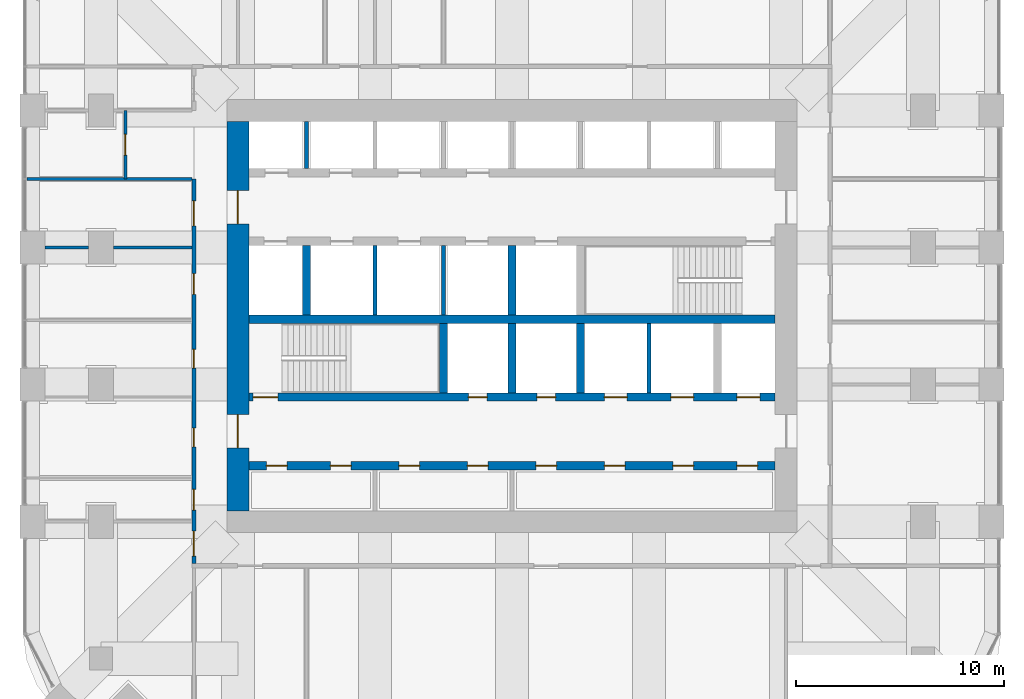
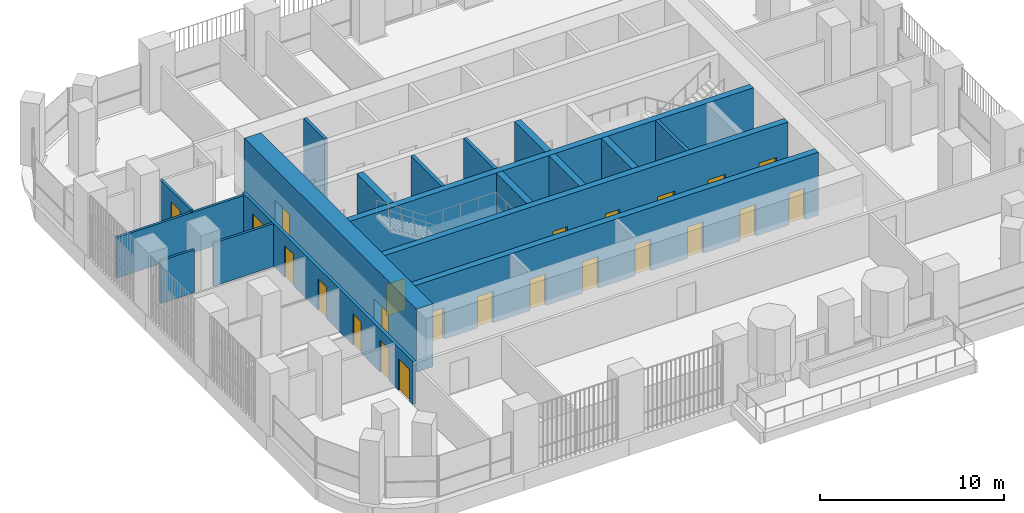
# One storey, part 13 of 19: 23 doors, 18 walls, 23 openings.
"""IFC4 building model written with IfcOpenShell, lengths in metres."""

from ifc_helpers import new_model, si_unit, direction, frame, frame_2d, origin, place, context, subcontext, project, spatial, rectangle, extrude, material, layer, layer_set, type_object, element, fill, save


model = new_model("IFC4")

# Units and contexts
model_context = context("Model", 3, precision=1e-05, world=origin(), true_north=direction((0.0, 1.0)))
body_context = subcontext(model_context, "Body", "Model", "MODEL_VIEW")
ifc_project = project(units=[si_unit("LENGTHUNIT", "METRE"), si_unit("AREAUNIT", "SQUARE_METRE"), si_unit("VOLUMEUNIT", "CUBIC_METRE"), si_unit("PLANEANGLEUNIT", "RADIAN"), si_unit("MASSUNIT", "GRAM", prefix="KILO")], contexts=[model_context])

# Site, building, storey
site_placement = place(None, origin())
site = spatial("IfcSite", under=ifc_project, at=site_placement, CompositionType="ELEMENT")
building_placement = place(site_placement, origin())
building = spatial("IfcBuilding", under=site, at=building_placement, Name="Cobogo Forest Laboratory Tower", CompositionType="ELEMENT")
storey_placement = place(building_placement, frame((0.0, 0.0, 206.10009765625)))
storey = spatial("IfcBuildingStorey", under=building, at=storey_placement, Name="L47", CompositionType="ELEMENT", Elevation=206.10009765625)

# Wall, openings, doors
ifc_material_1 = material(Name="Concrete HA-50 (C50/60)", Category="concrete")
ifc_layer_1 = layer(ifc_material_1, 0.39990234375)
ifc_layer_set_1 = layer_set([ifc_layer_1], Name="CI400 core inner wall 400")
wall_type_1 = type_object("IfcWallType", Name="CI400 core inner wall 400", PredefinedType="SHEAR", material=ifc_layer_set_1)
wall_1_placement = place(storey_placement, frame((13.72509765625, 15.89990234375, 0.0), z_axis=(0.0, 0.0, 1.0), x_axis=(1.0, 0.0, 0.0)))
wall_1 = element("IfcWall", 1, at=wall_1_placement, inside=storey, type_object=wall_type_1, Name="Core wall CI-15.9 L47", PredefinedType="SHEAR", context=body_context, shape_type="SweptSolid", body=[
    extrude(rectangle(XDim=25.349853515625, YDim=0.39990234375, at=frame_2d((12.6748046875, 0.0))), origin(), (0.0, 0.0, 1.0), 4.199951171875),
])
opening_1_placement = place(wall_1_placement, frame((0.83740234375, 0.0, 0.0)))
opening_1 = element("IfcOpeningElement", 2, at=opening_1_placement, cuts=wall_1, Name="Opening L47-D08", PredefinedType="OPENING", context=body_context, shape_type="SweptSolid", body=[
    extrude(rectangle(XDim=1.0, YDim=2.10009765625, at=frame_2d((0.5, 1.050048828125))), frame((0.0, 0.2099609375, 0.0), z_axis=(0.0, -1.0, 0.0), x_axis=(1.0, 0.0, 0.0)), (0.0, 0.0, 1.0), 0.419921875),
])
opening_2_placement = place(wall_1_placement, frame((3.925048828125, 0.0, 0.0)))
opening_2 = element("IfcOpeningElement", 3, at=opening_2_placement, cuts=wall_1, Name="Opening L47-D09", PredefinedType="OPENING", context=body_context, shape_type="SweptSolid", body=[
    extrude(rectangle(XDim=1.0, YDim=2.10009765625, at=frame_2d((0.5, 1.050048828125))), frame((0.0, 0.2099609375, 0.0), z_axis=(0.0, -1.0, 0.0), x_axis=(1.0, 0.0, 0.0)), (0.0, 0.0, 1.0), 0.419921875),
])
opening_3_placement = place(wall_1_placement, frame((7.22509765625, 0.0, 0.0)))
opening_3 = element("IfcOpeningElement", 4, at=opening_3_placement, cuts=wall_1, Name="Opening L47-D10", PredefinedType="OPENING", context=body_context, shape_type="SweptSolid", body=[
    extrude(rectangle(XDim=1.0, YDim=2.10009765625, at=frame_2d((0.5, 1.050048828125))), frame((0.0, 0.2099609375, 0.0), z_axis=(0.0, -1.0, 0.0), x_axis=(1.0, 0.0, 0.0)), (0.0, 0.0, 1.0), 0.419921875),
])
opening_4_placement = place(wall_1_placement, frame((10.52490234375, 0.0, 0.0)))
opening_4 = element("IfcOpeningElement", 5, at=opening_4_placement, cuts=wall_1, Name="Opening L47-D11", PredefinedType="OPENING", context=body_context, shape_type="SweptSolid", body=[
    extrude(rectangle(XDim=1.0, YDim=2.10009765625, at=frame_2d((0.5, 1.050048828125))), frame((0.0, 0.2099609375, 0.0), z_axis=(0.0, -1.0, 0.0), x_axis=(1.0, 0.0, 0.0)), (0.0, 0.0, 1.0), 0.419921875),
])
opening_5_placement = place(wall_1_placement, frame((13.824951171875, 0.0, 0.0)))
opening_5 = element("IfcOpeningElement", 6, at=opening_5_placement, cuts=wall_1, Name="Opening L47-D12", PredefinedType="OPENING", context=body_context, shape_type="SweptSolid", body=[
    extrude(rectangle(XDim=1.0, YDim=2.10009765625, at=frame_2d((0.5, 1.050048828125))), frame((0.0, 0.2099609375, 0.0), z_axis=(0.0, -1.0, 0.0), x_axis=(1.0, 0.0, 0.0)), (0.0, 0.0, 1.0), 0.419921875),
])
opening_6_placement = place(wall_1_placement, frame((17.125, 0.0, 0.0)))
opening_6 = element("IfcOpeningElement", 7, at=opening_6_placement, cuts=wall_1, Name="Opening L47-D13", PredefinedType="OPENING", context=body_context, shape_type="SweptSolid", body=[
    extrude(rectangle(XDim=1.0, YDim=2.10009765625, at=frame_2d((0.5, 1.050048828125))), frame((0.0, 0.2099609375, 0.0), z_axis=(0.0, -1.0, 0.0), x_axis=(1.0, 0.0, 0.0)), (0.0, 0.0, 1.0), 0.419921875),
])
opening_7_placement = place(wall_1_placement, frame((20.425048828125, 0.0, 0.0)))
opening_7 = element("IfcOpeningElement", 8, at=opening_7_placement, cuts=wall_1, Name="Opening L47-D14", PredefinedType="OPENING", context=body_context, shape_type="SweptSolid", body=[
    extrude(rectangle(XDim=1.0, YDim=2.10009765625, at=frame_2d((0.5, 1.050048828125))), frame((0.0, 0.2099609375, 0.0), z_axis=(0.0, -1.0, 0.0), x_axis=(1.0, 0.0, 0.0)), (0.0, 0.0, 1.0), 0.419921875),
])
opening_8_placement = place(wall_1_placement, frame((23.512451171875, 0.0, 0.0)))
opening_8 = element("IfcOpeningElement", 9, at=opening_8_placement, cuts=wall_1, Name="Opening L47-D15", PredefinedType="OPENING", context=body_context, shape_type="SweptSolid", body=[
    extrude(rectangle(XDim=1.0, YDim=2.10009765625, at=frame_2d((0.5, 1.050048828125))), frame((0.0, 0.2099609375, 0.0), z_axis=(0.0, -1.0, 0.0), x_axis=(1.0, 0.0, 0.0)), (0.0, 0.0, 1.0), 0.419921875),
])
ifc_material_2 = material(Name="Steel fire door", Category="steel")
door_type_1 = type_object("IfcDoorType", Name="FD1 fire door 1000 EI2 60", OperationType="SINGLE_SWING_LEFT", PredefinedType="DOOR", material=ifc_material_2)
door_1_placement = place(opening_1_placement, origin())
door_1 = element("IfcDoor", 10, at=door_1_placement, inside=storey, type_object=door_type_1, Name="Door L47-SH-LA1", OperationType="SINGLE_SWING_LEFT", OverallHeight=2.10009765625, OverallWidth=1.0, PredefinedType="DOOR", context=body_context, shape_type="SweptSolid", body=[
    extrude(rectangle(XDim=1.0, YDim=2.10009765625, at=frame_2d((0.5, 1.050048828125))), frame((0.0, 0.02490234375, 0.0), z_axis=(0.0, -1.0, 0.0), x_axis=(1.0, 0.0, 0.0)), (0.0, 0.0, 1.0), 0.050048828125),
])
fill(opening_1, door_1)
door_2_placement = place(opening_2_placement, origin())
door_2 = element("IfcDoor", 11, at=door_2_placement, inside=storey, type_object=door_type_1, Name="Door L47-SH-LA2", OperationType="SINGLE_SWING_LEFT", OverallHeight=2.10009765625, OverallWidth=1.0, PredefinedType="DOOR", context=body_context, shape_type="SweptSolid", body=[
    extrude(rectangle(XDim=1.0, YDim=2.10009765625, at=frame_2d((0.5, 1.050048828125))), frame((0.0, 0.02490234375, 0.0), z_axis=(0.0, -1.0, 0.0), x_axis=(1.0, 0.0, 0.0)), (0.0, 0.0, 1.0), 0.050048828125),
])
fill(opening_2, door_2)
door_3_placement = place(opening_3_placement, origin())
door_3 = element("IfcDoor", 12, at=door_3_placement, inside=storey, type_object=door_type_1, Name="Door L47-SH-LA3", OperationType="SINGLE_SWING_LEFT", OverallHeight=2.10009765625, OverallWidth=1.0, PredefinedType="DOOR", context=body_context, shape_type="SweptSolid", body=[
    extrude(rectangle(XDim=1.0, YDim=2.10009765625, at=frame_2d((0.5, 1.050048828125))), frame((0.0, 0.02490234375, 0.0), z_axis=(0.0, -1.0, 0.0), x_axis=(1.0, 0.0, 0.0)), (0.0, 0.0, 1.0), 0.050048828125),
])
fill(opening_3, door_3)
door_4_placement = place(opening_4_placement, origin())
door_4 = element("IfcDoor", 13, at=door_4_placement, inside=storey, type_object=door_type_1, Name="Door L47-SH-LA4", OperationType="SINGLE_SWING_LEFT", OverallHeight=2.10009765625, OverallWidth=1.0, PredefinedType="DOOR", context=body_context, shape_type="SweptSolid", body=[
    extrude(rectangle(XDim=1.0, YDim=2.10009765625, at=frame_2d((0.5, 1.050048828125))), frame((0.0, 0.02490234375, 0.0), z_axis=(0.0, -1.0, 0.0), x_axis=(1.0, 0.0, 0.0)), (0.0, 0.0, 1.0), 0.050048828125),
])
fill(opening_4, door_4)
door_5_placement = place(opening_5_placement, origin())
door_5 = element("IfcDoor", 14, at=door_5_placement, inside=storey, type_object=door_type_1, Name="Door L47-SH-LB1", OperationType="SINGLE_SWING_RIGHT", OverallHeight=2.10009765625, OverallWidth=1.0, PredefinedType="DOOR", context=body_context, shape_type="SweptSolid", body=[
    extrude(rectangle(XDim=1.0, YDim=2.10009765625, at=frame_2d((0.5, 1.050048828125))), frame((0.0, 0.02490234375, 0.0), z_axis=(0.0, -1.0, 0.0), x_axis=(1.0, 0.0, 0.0)), (0.0, 0.0, 1.0), 0.050048828125),
])
fill(opening_5, door_5)
door_6_placement = place(opening_6_placement, origin())
door_6 = element("IfcDoor", 15, at=door_6_placement, inside=storey, type_object=door_type_1, Name="Door L47-SH-LB2", OperationType="SINGLE_SWING_RIGHT", OverallHeight=2.10009765625, OverallWidth=1.0, PredefinedType="DOOR", context=body_context, shape_type="SweptSolid", body=[
    extrude(rectangle(XDim=1.0, YDim=2.10009765625, at=frame_2d((0.5, 1.050048828125))), frame((0.0, 0.02490234375, 0.0), z_axis=(0.0, -1.0, 0.0), x_axis=(1.0, 0.0, 0.0)), (0.0, 0.0, 1.0), 0.050048828125),
])
fill(opening_6, door_6)
door_7_placement = place(opening_7_placement, origin())
door_7 = element("IfcDoor", 16, at=door_7_placement, inside=storey, type_object=door_type_1, Name="Door L47-SH-LB3", OperationType="SINGLE_SWING_RIGHT", OverallHeight=2.10009765625, OverallWidth=1.0, PredefinedType="DOOR", context=body_context, shape_type="SweptSolid", body=[
    extrude(rectangle(XDim=1.0, YDim=2.10009765625, at=frame_2d((0.5, 1.050048828125))), frame((0.0, 0.02490234375, 0.0), z_axis=(0.0, -1.0, 0.0), x_axis=(1.0, 0.0, 0.0)), (0.0, 0.0, 1.0), 0.050048828125),
])
fill(opening_7, door_7)
door_8_placement = place(opening_8_placement, origin())
door_8 = element("IfcDoor", 17, at=door_8_placement, inside=storey, type_object=door_type_1, Name="Door L47-SH-LB4", OperationType="SINGLE_SWING_RIGHT", OverallHeight=2.10009765625, OverallWidth=1.0, PredefinedType="DOOR", context=body_context, shape_type="SweptSolid", body=[
    extrude(rectangle(XDim=1.0, YDim=2.10009765625, at=frame_2d((0.5, 1.050048828125))), frame((0.0, 0.02490234375, 0.0), z_axis=(0.0, -1.0, 0.0), x_axis=(1.0, 0.0, 0.0)), (0.0, 0.0, 1.0), 0.050048828125),
])
fill(opening_8, door_8)

wall_2_placement = place(storey_placement, frame((13.72509765625, 19.199951171875, 0.0), z_axis=(0.0, 0.0, 1.0), x_axis=(1.0, 0.0, 0.0)))
wall_2 = element("IfcWall", 18, at=wall_2_placement, inside=storey, type_object=wall_type_1, Name="Core wall CI-19.2 L47", PredefinedType="SHEAR", context=body_context, shape_type="SweptSolid", body=[
    extrude(rectangle(XDim=25.349853515625, YDim=0.39990234375, at=frame_2d((12.6748046875, 0.0))), origin(), (0.0, 0.0, 1.0), 4.199951171875),
])
opening_9_placement = place(wall_2_placement, frame((10.574951171875, 0.0, 0.0)))
opening_9 = element("IfcOpeningElement", 19, at=opening_9_placement, cuts=wall_2, Name="Opening L47-D20", PredefinedType="OPENING", context=body_context, shape_type="SweptSolid", body=[
    extrude(rectangle(XDim=0.89990234375, YDim=2.10009765625, at=frame_2d((0.449951171875, 1.050048828125))), frame((0.0, 0.2099609375, 0.0), z_axis=(0.0, -1.0, 0.0), x_axis=(1.0, 0.0, 0.0)), (0.0, 0.0, 1.0), 0.419921875),
])
opening_10_placement = place(wall_2_placement, frame((13.875, 0.0, 0.0)))
opening_10 = element("IfcOpeningElement", 20, at=opening_10_placement, cuts=wall_2, Name="Opening L47-D21", PredefinedType="OPENING", context=body_context, shape_type="SweptSolid", body=[
    extrude(rectangle(XDim=0.89990234375, YDim=2.10009765625, at=frame_2d((0.449951171875, 1.050048828125))), frame((0.0, 0.2099609375, 0.0), z_axis=(0.0, -1.0, 0.0), x_axis=(1.0, 0.0, 0.0)), (0.0, 0.0, 1.0), 0.419921875),
])
opening_11_placement = place(wall_2_placement, frame((0.199951171875, 0.0, 0.0)))
opening_11 = element("IfcOpeningElement", 21, at=opening_11_placement, cuts=wall_2, Name="Opening L47-D19", PredefinedType="OPENING", context=body_context, shape_type="SweptSolid", body=[
    extrude(rectangle(XDim=1.199951171875, YDim=2.10009765625, at=frame_2d((0.60009765625, 1.050048828125))), frame((0.0, 0.2099609375, 0.0), z_axis=(0.0, -1.0, 0.0), x_axis=(1.0, 0.0, 0.0)), (0.0, 0.0, 1.0), 0.419921875),
])
opening_12_placement = place(wall_2_placement, frame((23.512451171875, 0.0, 0.0)))
opening_12 = element("IfcOpeningElement", 22, at=opening_12_placement, cuts=wall_2, Name="Opening L47-LD-FL2", PredefinedType="OPENING", context=body_context, shape_type="SweptSolid", body=[
    extrude(rectangle(XDim=1.10009765625, YDim=2.10009765625, at=frame_2d((0.550048828125, 1.050048828125))), frame((0.0, 0.2099609375, 0.0), z_axis=(0.0, -1.0, 0.0), x_axis=(1.0, 0.0, 0.0)), (0.0, 0.0, 1.0), 0.419921875),
])
opening_13_placement = place(wall_2_placement, frame((17.125, 0.0, 0.0)))
opening_13 = element("IfcOpeningElement", 23, at=opening_13_placement, cuts=wall_2, Name="Opening L47-LD-LS1", PredefinedType="OPENING", context=body_context, shape_type="SweptSolid", body=[
    extrude(rectangle(XDim=1.10009765625, YDim=2.10009765625, at=frame_2d((0.550048828125, 1.050048828125))), frame((0.0, 0.2099609375, 0.0), z_axis=(0.0, -1.0, 0.0), x_axis=(1.0, 0.0, 0.0)), (0.0, 0.0, 1.0), 0.419921875),
])
opening_14_placement = place(wall_2_placement, frame((20.324951171875, 0.0, 0.0)))
opening_14 = element("IfcOpeningElement", 24, at=opening_14_placement, cuts=wall_2, Name="Opening L47-LD-LS2", PredefinedType="OPENING", context=body_context, shape_type="SweptSolid", body=[
    extrude(rectangle(XDim=1.10009765625, YDim=2.10009765625, at=frame_2d((0.550048828125, 1.050048828125))), frame((0.0, 0.2099609375, 0.0), z_axis=(0.0, -1.0, 0.0), x_axis=(1.0, 0.0, 0.0)), (0.0, 0.0, 1.0), 0.419921875),
])
door_type_2 = type_object("IfcDoorType", Name="DS1 protected stair door 1200 EI2 60", OperationType="SINGLE_SWING_LEFT", PredefinedType="DOOR", material=ifc_material_2)
door_9_placement = place(opening_11_placement, origin())
door_9 = element("IfcDoor", 25, at=door_9_placement, inside=storey, type_object=door_type_2, Name="Door L47-ST1", OperationType="SINGLE_SWING_LEFT", OverallHeight=2.10009765625, OverallWidth=1.199951171875, PredefinedType="DOOR", context=body_context, shape_type="SweptSolid", body=[
    extrude(rectangle(XDim=1.199951171875, YDim=2.10009765625, at=frame_2d((0.60009765625, 1.050048828125))), frame((0.0, 0.02490234375, 0.0), z_axis=(0.0, -1.0, 0.0), x_axis=(1.0, 0.0, 0.0)), (0.0, 0.0, 1.0), 0.050048828125),
])
fill(opening_11, door_9)
door_type_3 = type_object("IfcDoorType", Name="FD4 riser access door 900 EI2 60", OperationType="SINGLE_SWING_LEFT", PredefinedType="DOOR", material=ifc_material_2)
door_10_placement = place(opening_9_placement, origin())
door_10 = element("IfcDoor", 26, at=door_10_placement, inside=storey, type_object=door_type_3, Name="Door L47-R1", OperationType="SINGLE_SWING_LEFT", OverallHeight=2.10009765625, OverallWidth=0.89990234375, PredefinedType="DOOR", context=body_context, shape_type="SweptSolid", body=[
    extrude(rectangle(XDim=0.89990234375, YDim=2.10009765625, at=frame_2d((0.449951171875, 1.050048828125))), frame((0.0, 0.02490234375, 0.0), z_axis=(0.0, -1.0, 0.0), x_axis=(1.0, 0.0, 0.0)), (0.0, 0.0, 1.0), 0.050048828125),
])
fill(opening_9, door_10)
door_11_placement = place(opening_10_placement, origin())
door_11 = element("IfcDoor", 27, at=door_11_placement, inside=storey, type_object=door_type_3, Name="Door L47-R2", OperationType="SINGLE_SWING_RIGHT", OverallHeight=2.10009765625, OverallWidth=0.89990234375, PredefinedType="DOOR", context=body_context, shape_type="SweptSolid", body=[
    extrude(rectangle(XDim=0.89990234375, YDim=2.10009765625, at=frame_2d((0.449951171875, 1.050048828125))), frame((0.0, 0.02490234375, 0.0), z_axis=(0.0, -1.0, 0.0), x_axis=(1.0, 0.0, 0.0)), (0.0, 0.0, 1.0), 0.050048828125),
])
fill(opening_10, door_11)
ifc_material_3 = material(Name="Stainless steel lift door", Category="steel")
door_type_4 = type_object("IfcDoorType", Name="LD lift landing door 1100", OperationType="DOUBLE_DOOR_SLIDING", PredefinedType="DOOR", material=ifc_material_3)
door_12_placement = place(opening_12_placement, origin())
door_12 = element("IfcDoor", 28, at=door_12_placement, inside=storey, type_object=door_type_4, Name="Lift landing door FL2 L47", OperationType="DOUBLE_DOOR_SLIDING", OverallHeight=2.10009765625, OverallWidth=1.10009765625, PredefinedType="DOOR", context=body_context, shape_type="SweptSolid", body=[
    extrude(rectangle(XDim=1.10009765625, YDim=2.10009765625, at=frame_2d((0.550048828125, 1.050048828125))), frame((0.0, 0.02490234375, 0.0), z_axis=(0.0, -1.0, 0.0), x_axis=(1.0, 0.0, 0.0)), (0.0, 0.0, 1.0), 0.050048828125),
])
fill(opening_12, door_12)
door_13_placement = place(opening_13_placement, origin())
door_13 = element("IfcDoor", 29, at=door_13_placement, inside=storey, type_object=door_type_4, Name="Lift landing door LS1 L47", OperationType="DOUBLE_DOOR_SLIDING", OverallHeight=2.10009765625, OverallWidth=1.10009765625, PredefinedType="DOOR", context=body_context, shape_type="SweptSolid", body=[
    extrude(rectangle(XDim=1.10009765625, YDim=2.10009765625, at=frame_2d((0.550048828125, 1.050048828125))), frame((0.0, 0.02490234375, 0.0), z_axis=(0.0, -1.0, 0.0), x_axis=(1.0, 0.0, 0.0)), (0.0, 0.0, 1.0), 0.050048828125),
])
fill(opening_13, door_13)
door_14_placement = place(opening_14_placement, origin())
door_14 = element("IfcDoor", 30, at=door_14_placement, inside=storey, type_object=door_type_4, Name="Lift landing door LS2 L47", OperationType="DOUBLE_DOOR_SLIDING", OverallHeight=2.10009765625, OverallWidth=1.10009765625, PredefinedType="DOOR", context=body_context, shape_type="SweptSolid", body=[
    extrude(rectangle(XDim=1.10009765625, YDim=2.10009765625, at=frame_2d((0.550048828125, 1.050048828125))), frame((0.0, 0.02490234375, 0.0), z_axis=(0.0, -1.0, 0.0), x_axis=(1.0, 0.0, 0.0)), (0.0, 0.0, 1.0), 0.050048828125),
])
fill(opening_14, door_14)

# Walls
wall_3_placement = place(storey_placement, frame((13.72509765625, 22.949951171875, 0.0), z_axis=(0.0, 0.0, 1.0), x_axis=(1.0, 0.0, 0.0)))
element("IfcWall", 31, at=wall_3_placement, inside=storey, type_object=wall_type_1, Name="Core wall CI-22.95 L47", PredefinedType="SHEAR", context=body_context, shape_type="SweptSolid", body=[
    extrude(rectangle(XDim=25.349853515625, YDim=0.39990234375, at=frame_2d((12.6748046875, 0.0))), origin(), (0.0, 0.0, 1.0), 4.199951171875),
])
for number, where, z_axis, x_axis, name in (
    (32, (23.10009765625, 19.39990234375, 0.0), (0.0, 0.0, 1.0), (0.0, 1.0, 0.0), "Core wall CX-23.1 L47"),
    (33, (26.39990234375, 19.39990234375, 0.0), (0.0, 0.0, 1.0), (0.0, 1.0, 0.0), "Core wall CX-26.4S L47"),
    (34, (29.699951171875, 19.39990234375, 0.0), (0.0, 0.0, 1.0), (0.0, 1.0, 0.0), "Core wall CX-29.7S L47"),
    (35, (16.5, 23.14990234375, 0.0), (0.0, 0.0, 1.0), (0.0, 1.0, 0.0), "Core wall CX-16.5 L47"),
    (36, (26.39990234375, 23.14990234375, 0.0), (0.0, 0.0, 1.0), (0.0, 1.0, 0.0), "Core wall CX-26.4N L47"),
):
    element("IfcWall", number, at=place(storey_placement, frame(where, z_axis=z_axis, x_axis=x_axis)), inside=storey, type_object=wall_type_1, Name=name, PredefinedType="SHEAR", context=body_context, shape_type="SweptSolid", body=[
        extrude(rectangle(XDim=3.35009765625, YDim=0.39990234375, at=frame_2d((1.675048828125, 0.0))), origin(), (0.0, 0.0, 1.0), 4.199951171875),
    ])

# Wall, openings, doors
ifc_layer_2 = layer(ifc_material_1, 1.050048828125)
ifc_layer_set_2 = layer_set([ifc_layer_2], Name="CW1050 core outer wall 1050")
wall_type_2 = type_object("IfcWallType", Name="CW1050 core outer wall 1050", PredefinedType="SHEAR", material=ifc_layer_set_2)
wall_4_placement = place(storey_placement, frame((13.199951171875, 32.47509765625, 0.0), z_axis=(0.0, 0.0, 1.0), x_axis=(0.0, -1.0, 0.0)))
wall_4 = element("IfcWall", 37, at=wall_4_placement, inside=storey, type_object=wall_type_2, Name="Core wall CO-W L47", PredefinedType="SHEAR", context=body_context, shape_type="SweptSolid", body=[
    extrude(rectangle(XDim=18.75, YDim=1.050048828125, at=frame_2d((9.375, 0.0))), origin(), (0.0, 0.0, 1.0), 4.199951171875),
])
opening_15_placement = place(wall_4_placement, frame((14.125, 0.0, 0.0)))
opening_15 = element("IfcOpeningElement", 38, at=opening_15_placement, cuts=wall_4, Name="Opening L47-D17", PredefinedType="OPENING", context=body_context, shape_type="SweptSolid", body=[
    extrude(rectangle(XDim=1.60009765625, YDim=2.10009765625, at=frame_2d((0.800048828125, 1.050048828125))), frame((0.0, 0.534912109375, 0.0), z_axis=(0.0, -1.0, 0.0), x_axis=(1.0, 0.0, 0.0)), (0.0, 0.0, 1.0), 1.070068359375),
])
opening_16_placement = place(wall_4_placement, frame((3.324951171875, 0.0, 0.0)))
opening_16 = element("IfcOpeningElement", 39, at=opening_16_placement, cuts=wall_4, Name="Opening L47-D29", PredefinedType="OPENING", context=body_context, shape_type="SweptSolid", body=[
    extrude(rectangle(XDim=1.60009765625, YDim=2.10009765625, at=frame_2d((0.800048828125, 1.050048828125))), frame((0.0, 0.534912109375, 0.0), z_axis=(0.0, -1.0, 0.0), x_axis=(1.0, 0.0, 0.0)), (0.0, 0.0, 1.0), 1.070068359375),
])
door_type_5 = type_object("IfcDoorType", Name="DS2 protected lobby door pair 1600 EI2 60", OperationType="DOUBLE_DOOR_DOUBLE_SWING", PredefinedType="DOOR", material=ifc_material_2)
door_15_placement = place(opening_15_placement, origin())
door_15 = element("IfcDoor", 40, at=door_15_placement, inside=storey, type_object=door_type_5, Name="Door L47-CO-W-S", OperationType="DOUBLE_DOOR_DOUBLE_SWING", OverallHeight=2.10009765625, OverallWidth=1.60009765625, PredefinedType="DOOR", context=body_context, shape_type="SweptSolid", body=[
    extrude(rectangle(XDim=1.60009765625, YDim=2.10009765625, at=frame_2d((0.800048828125, 1.050048828125))), frame((0.0, 0.02490234375, 0.0), z_axis=(0.0, -1.0, 0.0), x_axis=(1.0, 0.0, 0.0)), (0.0, 0.0, 1.0), 0.050048828125),
])
fill(opening_15, door_15)
door_16_placement = place(opening_16_placement, origin())
door_16 = element("IfcDoor", 41, at=door_16_placement, inside=storey, type_object=door_type_5, Name="Door L47-CO-W-N", OperationType="DOUBLE_DOOR_DOUBLE_SWING", OverallHeight=2.10009765625, OverallWidth=1.60009765625, PredefinedType="DOOR", context=body_context, shape_type="SweptSolid", body=[
    extrude(rectangle(XDim=1.60009765625, YDim=2.10009765625, at=frame_2d((0.800048828125, 1.050048828125))), frame((0.0, 0.02490234375, 0.0), z_axis=(0.0, -1.0, 0.0), x_axis=(1.0, 0.0, 0.0)), (0.0, 0.0, 1.0), 0.050048828125),
])
fill(opening_16, door_16)

# Wall, opening, door
ifc_material_4 = material(Name="Gypsum board on steel studs", Category="steel")
ifc_layer_3 = layer(ifc_material_4, 0.14990234375)
ifc_layer_set_3 = layer_set([ifc_layer_3], Name="PT1 laboratory partition 150")
wall_type_3 = type_object("IfcWallType", Name="PT1 laboratory partition 150", PredefinedType="PARTITIONING", material=ifc_layer_set_3)
wall_5_placement = place(storey_placement, frame((7.77490234375, 29.699951171875, 0.0), z_axis=(0.0, 0.0, 1.0), x_axis=(0.0, 1.0, 0.0)))
wall_5 = element("IfcWall", 42, at=wall_5_placement, inside=storey, type_object=wall_type_3, Name="Partition NODE-W-1 L47", PredefinedType="PARTITIONING", context=body_context, shape_type="SweptSolid", body=[
    extrude(rectangle(XDim=3.300048828125, YDim=0.14990234375, at=frame_2d((1.64990234375, 0.0))), origin(), (0.0, 0.0, 1.0), 2.849853515625),
])
opening_17_placement = place(wall_5_placement, frame((1.14990234375, 0.0, 0.0)))
opening_17 = element("IfcOpeningElement", 43, at=opening_17_placement, cuts=wall_5, Name="Opening L47-D31", PredefinedType="OPENING", context=body_context, shape_type="SweptSolid", body=[
    extrude(rectangle(XDim=1.0, YDim=2.10009765625, at=frame_2d((0.5, 1.050048828125))), frame((0.0, 0.0849609375, 0.0), z_axis=(0.0, -1.0, 0.0), x_axis=(1.0, 0.0, 0.0)), (0.0, 0.0, 1.0), 0.169921875),
])
ifc_material_5 = material(Name="Timber fire door", Category="wood")
door_type_6 = type_object("IfcDoorType", Name="FD2 fire door 1000 EI2 30", OperationType="SINGLE_SWING_LEFT", PredefinedType="DOOR", material=ifc_material_5)
door_17_placement = place(opening_17_placement, origin())
door_17 = element("IfcDoor", 44, at=door_17_placement, inside=storey, type_object=door_type_6, Name="Door L47-W4", OperationType="SINGLE_SWING_LEFT", OverallHeight=2.10009765625, OverallWidth=1.0, PredefinedType="DOOR", context=body_context, shape_type="SweptSolid", body=[
    extrude(rectangle(XDim=1.0, YDim=2.10009765625, at=frame_2d((0.5, 1.050048828125))), frame((0.0, 0.02490234375, 0.0), z_axis=(0.0, -1.0, 0.0), x_axis=(1.0, 0.0, 0.0)), (0.0, 0.0, 1.0), 0.050048828125),
])
fill(opening_17, door_17)

# Walls
wall_6_placement = place(storey_placement, frame((3.89990234375, 26.39990234375, 0.0), z_axis=(0.0, 0.0, 1.0), x_axis=(1.0, 0.0, 0.0)))
element("IfcWall", 45, at=wall_6_placement, inside=storey, type_object=wall_type_3, Name="Partition CUT-W26.4-1 L47", PredefinedType="PARTITIONING", context=body_context, shape_type="SweptSolid", body=[
    extrude(rectangle(XDim=2.10009765625, YDim=0.14990234375, at=frame_2d((1.050048828125, 0.0))), origin(), (0.0, 0.0, 1.0), 2.849853515625),
])
wall_7_placement = place(storey_placement, frame((7.199951171875, 26.39990234375, 0.0), z_axis=(0.0, 0.0, 1.0), x_axis=(1.0, 0.0, 0.0)))
element("IfcWall", 46, at=wall_7_placement, inside=storey, type_object=wall_type_3, Name="Partition CUT-W26.4-2 L47", PredefinedType="PARTITIONING", context=body_context, shape_type="SweptSolid", body=[
    extrude(rectangle(XDim=3.775146484375, YDim=0.14990234375, at=frame_2d((1.8876953125, 0.0))), origin(), (0.0, 0.0, 1.0), 2.849853515625),
])
wall_8_placement = place(storey_placement, frame((3.030029296875, 29.699951171875, 0.0), z_axis=(0.0, 0.0, 1.0), x_axis=(1.0, 0.0, 0.0)))
element("IfcWall", 47, at=wall_8_placement, inside=storey, type_object=wall_type_3, Name="Partition CUT-W29.7-1 L47", PredefinedType="PARTITIONING", context=body_context, shape_type="SweptSolid", body=[
    extrude(rectangle(XDim=7.945068359375, YDim=0.14990234375, at=frame_2d((3.97265625, 0.0))), origin(), (0.0, 0.0, 1.0), 2.699951171875),
])

# Wall, openings, doors
ifc_layer_4 = layer(ifc_material_4, 0.199951171875)
ifc_layer_set_4 = layer_set([ifc_layer_4], Name="PT2 fire-rated corridor partition 200")
wall_type_4 = type_object("IfcWallType", Name="PT2 fire-rated corridor partition 200", PredefinedType="PARTITIONING", material=ifc_layer_set_4)
wall_9_placement = place(storey_placement, frame((11.074951171875, 11.175048828125, 0.0), z_axis=(0.0, 0.0, 1.0), x_axis=(0.0, 1.0, 0.0)))
wall_9 = element("IfcWall", 48, at=wall_9_placement, inside=storey, type_object=wall_type_4, Name="Partition CORR-W-1 L47", PredefinedType="PARTITIONING", context=body_context, shape_type="SweptSolid", body=[
    extrude(rectangle(XDim=18.52490234375, YDim=0.199951171875, at=frame_2d((9.262451171875, 0.0))), origin(), (0.0, 0.0, 1.0), 2.849853515625),
])
opening_18_placement = place(wall_9_placement, frame((0.362548828125, 0.0, 0.0)))
opening_18 = element("IfcOpeningElement", 49, at=opening_18_placement, cuts=wall_9, Name="Opening L47-D05", PredefinedType="OPENING", context=body_context, shape_type="SweptSolid", body=[
    extrude(rectangle(XDim=1.199951171875, YDim=2.10009765625, at=frame_2d((0.60009765625, 1.050048828125))), frame((0.0, 0.10986328125, 0.0), z_axis=(0.0, -1.0, 0.0), x_axis=(1.0, 0.0, 0.0)), (0.0, 0.0, 1.0), 0.219970703125),
])
opening_19_placement = place(wall_9_placement, frame((2.574951171875, 0.0, 0.0)))
opening_19 = element("IfcOpeningElement", 50, at=opening_19_placement, cuts=wall_9, Name="Opening L47-D06", PredefinedType="OPENING", context=body_context, shape_type="SweptSolid", body=[
    extrude(rectangle(XDim=1.0, YDim=2.10009765625, at=frame_2d((0.5, 1.050048828125))), frame((0.0, 0.10986328125, 0.0), z_axis=(0.0, -1.0, 0.0), x_axis=(1.0, 0.0, 0.0)), (0.0, 0.0, 1.0), 0.219970703125),
])
opening_20_placement = place(wall_9_placement, frame((5.625, 0.0, 0.0)))
opening_20 = element("IfcOpeningElement", 51, at=opening_20_placement, cuts=wall_9, Name="Opening L47-D16", PredefinedType="OPENING", context=body_context, shape_type="SweptSolid", body=[
    extrude(rectangle(XDim=0.89990234375, YDim=2.10009765625, at=frame_2d((0.449951171875, 1.050048828125))), frame((0.0, 0.10986328125, 0.0), z_axis=(0.0, -1.0, 0.0), x_axis=(1.0, 0.0, 0.0)), (0.0, 0.0, 1.0), 0.219970703125),
])
opening_21_placement = place(wall_9_placement, frame((9.425048828125, 0.0, 0.0)))
opening_21 = element("IfcOpeningElement", 52, at=opening_21_placement, cuts=wall_9, Name="Opening L47-D22", PredefinedType="OPENING", context=body_context, shape_type="SweptSolid", body=[
    extrude(rectangle(XDim=0.89990234375, YDim=2.10009765625, at=frame_2d((0.449951171875, 1.050048828125))), frame((0.0, 0.10986328125, 0.0), z_axis=(0.0, -1.0, 0.0), x_axis=(1.0, 0.0, 0.0)), (0.0, 0.0, 1.0), 0.219970703125),
])
opening_22_placement = place(wall_9_placement, frame((12.97509765625, 0.0, 0.0)))
opening_22 = element("IfcOpeningElement", 53, at=opening_22_placement, cuts=wall_9, Name="Opening L47-D25", PredefinedType="OPENING", context=body_context, shape_type="SweptSolid", body=[
    extrude(rectangle(XDim=1.0, YDim=2.10009765625, at=frame_2d((0.5, 1.050048828125))), frame((0.0, 0.10986328125, 0.0), z_axis=(0.0, -1.0, 0.0), x_axis=(1.0, 0.0, 0.0)), (0.0, 0.0, 1.0), 0.219970703125),
])
opening_23_placement = place(wall_9_placement, frame((16.27490234375, 0.0, 0.0)))
opening_23 = element("IfcOpeningElement", 54, at=opening_23_placement, cuts=wall_9, Name="Opening L47-D27", PredefinedType="OPENING", context=body_context, shape_type="SweptSolid", body=[
    extrude(rectangle(XDim=1.199951171875, YDim=2.10009765625, at=frame_2d((0.60009765625, 1.050048828125))), frame((0.0, 0.10986328125, 0.0), z_axis=(0.0, -1.0, 0.0), x_axis=(1.0, 0.0, 0.0)), (0.0, 0.0, 1.0), 0.219970703125),
])
ifc_material_6 = material(Name="Timber door", Category="wood")
door_type_7 = type_object("IfcDoorType", Name="D2 laboratory door 1200 unequal pair", OperationType="DOUBLE_DOOR_SINGLE_SWING", PredefinedType="DOOR", material=ifc_material_6)
door_18_placement = place(opening_18_placement, origin())
door_18 = element("IfcDoor", 55, at=door_18_placement, inside=storey, type_object=door_type_7, Name="Door L47-W1", OperationType="DOUBLE_DOOR_SINGLE_SWING", OverallHeight=2.10009765625, OverallWidth=1.199951171875, PredefinedType="DOOR", context=body_context, shape_type="SweptSolid", body=[
    extrude(rectangle(XDim=1.199951171875, YDim=2.10009765625, at=frame_2d((0.60009765625, 1.050048828125))), frame((0.0, 0.02490234375, 0.0), z_axis=(0.0, -1.0, 0.0), x_axis=(1.0, 0.0, 0.0)), (0.0, 0.0, 1.0), 0.050048828125),
])
fill(opening_18, door_18)
door_19_placement = place(opening_23_placement, origin())
door_19 = element("IfcDoor", 56, at=door_19_placement, inside=storey, type_object=door_type_7, Name="Door L47-W3", OperationType="DOUBLE_DOOR_SINGLE_SWING", OverallHeight=2.10009765625, OverallWidth=1.199951171875, PredefinedType="DOOR", context=body_context, shape_type="SweptSolid", body=[
    extrude(rectangle(XDim=1.199951171875, YDim=2.10009765625, at=frame_2d((0.60009765625, 1.050048828125))), frame((0.0, 0.02490234375, 0.0), z_axis=(0.0, -1.0, 0.0), x_axis=(1.0, 0.0, 0.0)), (0.0, 0.0, 1.0), 0.050048828125),
])
fill(opening_23, door_19)
door_20_placement = place(opening_22_placement, origin())
door_20 = element("IfcDoor", 57, at=door_20_placement, inside=storey, type_object=door_type_6, Name="Door L47-SHW", OperationType="SINGLE_SWING_RIGHT", OverallHeight=2.10009765625, OverallWidth=1.0, PredefinedType="DOOR", context=body_context, shape_type="SweptSolid", body=[
    extrude(rectangle(XDim=1.0, YDim=2.10009765625, at=frame_2d((0.5, 1.050048828125))), frame((0.0, 0.02490234375, 0.0), z_axis=(0.0, -1.0, 0.0), x_axis=(1.0, 0.0, 0.0)), (0.0, 0.0, 1.0), 0.050048828125),
])
fill(opening_22, door_20)
door_type_8 = type_object("IfcDoorType", Name="FD3 toilet fire door 900 EI2 30", OperationType="SINGLE_SWING_LEFT", PredefinedType="DOOR", material=ifc_material_5)
door_21_placement = place(opening_20_placement, origin())
door_21 = element("IfcDoor", 58, at=door_21_placement, inside=storey, type_object=door_type_8, Name="Door L47-WCF", OperationType="SINGLE_SWING_LEFT", OverallHeight=2.10009765625, OverallWidth=0.89990234375, PredefinedType="DOOR", context=body_context, shape_type="SweptSolid", body=[
    extrude(rectangle(XDim=0.89990234375, YDim=2.10009765625, at=frame_2d((0.449951171875, 1.050048828125))), frame((0.0, 0.02490234375, 0.0), z_axis=(0.0, -1.0, 0.0), x_axis=(1.0, 0.0, 0.0)), (0.0, 0.0, 1.0), 0.050048828125),
])
fill(opening_20, door_21)
door_22_placement = place(opening_21_placement, origin())
door_22 = element("IfcDoor", 59, at=door_22_placement, inside=storey, type_object=door_type_8, Name="Door L47-WCM", OperationType="SINGLE_SWING_RIGHT", OverallHeight=2.10009765625, OverallWidth=0.89990234375, PredefinedType="DOOR", context=body_context, shape_type="SweptSolid", body=[
    extrude(rectangle(XDim=0.89990234375, YDim=2.10009765625, at=frame_2d((0.449951171875, 1.050048828125))), frame((0.0, 0.02490234375, 0.0), z_axis=(0.0, -1.0, 0.0), x_axis=(1.0, 0.0, 0.0)), (0.0, 0.0, 1.0), 0.050048828125),
])
fill(opening_21, door_22)
door_type_9 = type_object("IfcDoorType", Name="FDA1 accessible toilet fire door 1000 EI2 30", OperationType="SINGLE_SWING_RIGHT", PredefinedType="DOOR", material=ifc_material_5)
door_23_placement = place(opening_19_placement, origin())
door_23 = element("IfcDoor", 60, at=door_23_placement, inside=storey, type_object=door_type_9, Name="Door L47-WCA", OperationType="SINGLE_SWING_LEFT", OverallHeight=2.10009765625, OverallWidth=1.0, PredefinedType="DOOR", context=body_context, shape_type="SweptSolid", body=[
    extrude(rectangle(XDim=1.0, YDim=2.10009765625, at=frame_2d((0.5, 1.050048828125))), frame((0.0, 0.02490234375, 0.0), z_axis=(0.0, -1.0, 0.0), x_axis=(1.0, 0.0, 0.0)), (0.0, 0.0, 1.0), 0.050048828125),
])
fill(opening_19, door_23)

# Walls
ifc_material_7 = material(Name="Concrete block", Category="concrete")
ifc_layer_5 = layer(ifc_material_7, 0.199951171875)
ifc_layer_set_5 = layer_set([ifc_layer_5], Name="SW200 lift shaft separator 200")
wall_type_5 = type_object("IfcWallType", Name="SW200 lift shaft separator 200", PredefinedType="PARTITIONING", material=ifc_layer_set_5)
wall_10_placement = place(storey_placement, frame((16.5, 30.199951171875, 0.0), z_axis=(0.0, 0.0, 1.0), x_axis=(0.0, 1.0, 0.0)))
element("IfcWall", 61, at=wall_10_placement, inside=storey, type_object=wall_type_5, Name="Core wall SEP-N1 L47", PredefinedType="PARTITIONING", context=body_context, shape_type="SweptSolid", body=[
    extrude(rectangle(XDim=2.275146484375, YDim=0.199951171875, at=frame_2d((1.1376953125, 0.0))), origin(), (0.0, 0.0, 1.0), 4.199951171875),
])
for number, where, z_axis, x_axis, name in (
    (62, (33.0, 19.39990234375, 0.0), (0.0, 0.0, 1.0), (0.0, 1.0, 0.0), "Core wall SEP-M33.0 L47"),
    (63, (19.800048828125, 23.14990234375, 0.0), (0.0, 0.0, 1.0), (0.0, 1.0, 0.0), "Core wall SEP-M19.8 L47"),
    (64, (23.10009765625, 23.14990234375, 0.0), (0.0, 0.0, 1.0), (0.0, 1.0, 0.0), "Core wall SEP-M23.1 L47"),
):
    element("IfcWall", number, at=place(storey_placement, frame(where, z_axis=z_axis, x_axis=x_axis)), inside=storey, type_object=wall_type_5, Name=name, PredefinedType="PARTITIONING", context=body_context, shape_type="SweptSolid", body=[
        extrude(rectangle(XDim=3.35009765625, YDim=0.199951171875, at=frame_2d((1.675048828125, 0.0))), origin(), (0.0, 0.0, 1.0), 4.199951171875),
    ])

save(model, "model.ifc")
